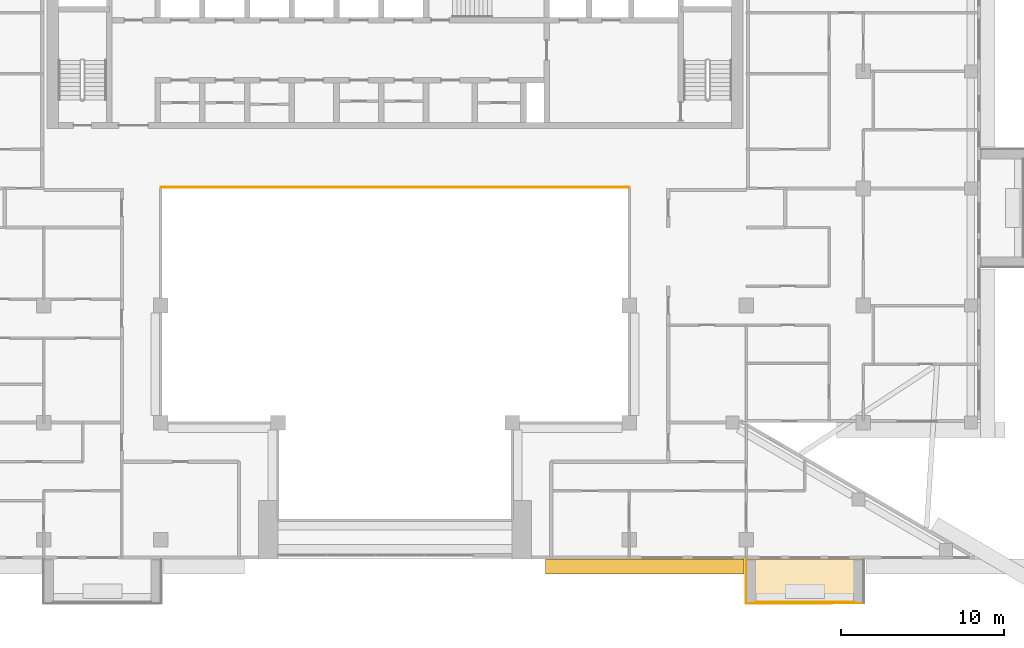
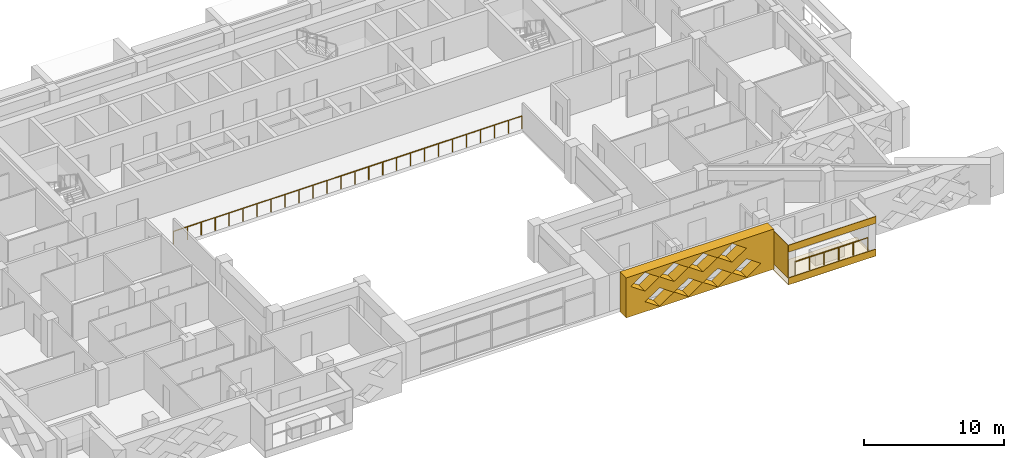
# One storey, part 16 of 20: 5 coverings, 2 railings.
"""IFC4 building model written with IfcOpenShell, lengths in metres."""

from ifc_helpers import new_model, si_unit, direction, frame, origin, origin_2d, place, context, subcontext, project, spatial, polyline, circle, outline, extrude, material, layer, layer_set, type_object, element, save


model = new_model("IFC4")

# Units and contexts
model_context = context("Model", 3, precision=1e-05, world=origin(), true_north=direction((0.0, 1.0)))
body_context = subcontext(model_context, "Body", "Model", "MODEL_VIEW")
ifc_project = project(units=[si_unit("LENGTHUNIT", "METRE"), si_unit("AREAUNIT", "SQUARE_METRE"), si_unit("VOLUMEUNIT", "CUBIC_METRE"), si_unit("PLANEANGLEUNIT", "RADIAN"), si_unit("MASSUNIT", "GRAM", prefix="KILO")], contexts=[model_context])

# Site, building, storey
site_placement = place(None, origin())
site = spatial("IfcSite", under=ifc_project, at=site_placement, CompositionType="ELEMENT")
building_placement = place(site_placement, origin())
building = spatial("IfcBuilding", under=site, at=building_placement, Name="Saffron Iwan Residences", CompositionType="ELEMENT")
storey_placement = place(building_placement, frame((0.0, 0.0, 199.0)))
storey = spatial("IfcBuildingStorey", under=building, at=storey_placement, Name="L53", CompositionType="ELEMENT", Elevation=199.0)

# Railings
ifc_material_1 = material(Name="Stainless steel 316", Category="steel")
railing_type_1 = type_object("IfcRailingType", Name="Atrium guard 1150", PredefinedType="GUARDRAIL", material=ifc_material_1)
railing_1_placement = place(storey_placement, frame((36.0, 62.47509765625, 0.0)))
element("IfcRailing", 1, at=railing_1_placement, inside=storey, type_object=railing_type_1, Name="Atrium guard L53", PredefinedType="GUARDRAIL", context=body_context, shape_type="SweptSolid", body=[
    extrude(circle(Radius=0.02392578125, at=origin_2d()), frame((0.0, 0.0, 1.1259765625), z_axis=(1.0, 0.0, 0.0), x_axis=(0.0, 1.0, 0.0)), (0.0, 0.0, 1.0), 28.800048828125),
    extrude(circle(Radius=0.02099609375, at=origin_2d()), origin(), (0.0, 0.0, 1.0), 1.101806640625),
    extrude(circle(Radius=0.02099609375, at=origin_2d()), frame((1.152099609375, 0.0, 0.0)), (0.0, 0.0, 1.0), 1.101806640625),
    extrude(circle(Radius=0.02099609375, at=origin_2d()), frame((2.303955078125, 0.0, 0.0)), (0.0, 0.0, 1.0), 1.101806640625),
    extrude(circle(Radius=0.02099609375, at=origin_2d()), frame((3.4560546875, 0.0, 0.0)), (0.0, 0.0, 1.0), 1.101806640625),
    extrude(circle(Radius=0.02099609375, at=origin_2d()), frame((4.60791015625, 0.0, 0.0)), (0.0, 0.0, 1.0), 1.101806640625),
    extrude(circle(Radius=0.02099609375, at=origin_2d()), frame((5.760009765625, 0.0, 0.0)), (0.0, 0.0, 1.0), 1.101806640625),
    extrude(circle(Radius=0.02099609375, at=origin_2d()), frame((6.912109375, 0.0, 0.0)), (0.0, 0.0, 1.0), 1.101806640625),
    extrude(circle(Radius=0.02099609375, at=origin_2d()), frame((8.06396484375, 0.0, 0.0)), (0.0, 0.0, 1.0), 1.101806640625),
    extrude(circle(Radius=0.02099609375, at=origin_2d()), frame((9.216064453125, 0.0, 0.0)), (0.0, 0.0, 1.0), 1.101806640625),
    extrude(circle(Radius=0.02099609375, at=origin_2d()), frame((10.367919921875, 0.0, 0.0)), (0.0, 0.0, 1.0), 1.101806640625),
    extrude(circle(Radius=0.02099609375, at=origin_2d()), frame((11.52001953125, 0.0, 0.0)), (0.0, 0.0, 1.0), 1.101806640625),
    extrude(circle(Radius=0.02099609375, at=origin_2d()), frame((12.672119140625, 0.0, 0.0)), (0.0, 0.0, 1.0), 1.101806640625),
    extrude(circle(Radius=0.02099609375, at=origin_2d()), frame((13.823974609375, 0.0, 0.0)), (0.0, 0.0, 1.0), 1.101806640625),
    extrude(circle(Radius=0.02099609375, at=origin_2d()), frame((14.97607421875, 0.0, 0.0)), (0.0, 0.0, 1.0), 1.101806640625),
    extrude(circle(Radius=0.02099609375, at=origin_2d()), frame((16.1279296875, 0.0, 0.0)), (0.0, 0.0, 1.0), 1.101806640625),
    extrude(circle(Radius=0.02099609375, at=origin_2d()), frame((17.280029296875, 0.0, 0.0)), (0.0, 0.0, 1.0), 1.101806640625),
    extrude(circle(Radius=0.02099609375, at=origin_2d()), frame((18.43212890625, 0.0, 0.0)), (0.0, 0.0, 1.0), 1.101806640625),
    extrude(circle(Radius=0.02099609375, at=origin_2d()), frame((19.583984375, 0.0, 0.0)), (0.0, 0.0, 1.0), 1.101806640625),
    extrude(circle(Radius=0.02099609375, at=origin_2d()), frame((20.736083984375, 0.0, 0.0)), (0.0, 0.0, 1.0), 1.101806640625),
    extrude(circle(Radius=0.02099609375, at=origin_2d()), frame((21.887939453125, 0.0, 0.0)), (0.0, 0.0, 1.0), 1.101806640625),
    extrude(circle(Radius=0.02099609375, at=origin_2d()), frame((23.0400390625, 0.0, 0.0)), (0.0, 0.0, 1.0), 1.101806640625),
    extrude(circle(Radius=0.02099609375, at=origin_2d()), frame((24.192138671875, 0.0, 0.0)), (0.0, 0.0, 1.0), 1.101806640625),
    extrude(circle(Radius=0.02099609375, at=origin_2d()), frame((25.343994140625, 0.0, 0.0)), (0.0, 0.0, 1.0), 1.101806640625),
    extrude(circle(Radius=0.02099609375, at=origin_2d()), frame((26.49609375, 0.0, 0.0)), (0.0, 0.0, 1.0), 1.101806640625),
    extrude(circle(Radius=0.02099609375, at=origin_2d()), frame((27.64794921875, 0.0, 0.0)), (0.0, 0.0, 1.0), 1.101806640625),
    extrude(circle(Radius=0.02099609375, at=origin_2d()), frame((28.800048828125, 0.0, 0.0)), (0.0, 0.0, 1.0), 1.101806640625),
])
railing_type_2 = type_object("IfcRailingType", Name="BALCONY GUARD 1150", PredefinedType="GUARDRAIL", material=ifc_material_1)
railing_2_placement = place(storey_placement, frame((72.60009765625, 36.97509765625, 0.0)))
element("IfcRailing", 2, at=railing_2_placement, inside=storey, type_object=railing_type_2, Name="Balcony guard L53 11-1", PredefinedType="GUARDRAIL", context=body_context, shape_type="SweptSolid", body=[
    extrude(circle(Radius=0.02392578125, at=origin_2d()), frame((0.0, 0.0, 1.1259765625), z_axis=(1.0, 0.0, 0.0), x_axis=(0.0, 1.0, 0.0)), (0.0, 0.0, 1.0), 6.0),
    extrude(circle(Radius=0.02099609375, at=origin_2d()), origin(), (0.0, 0.0, 1.0), 1.101806640625),
    extrude(circle(Radius=0.02099609375, at=origin_2d()), frame((1.199951171875, 0.0, 0.0)), (0.0, 0.0, 1.0), 1.101806640625),
    extrude(circle(Radius=0.02099609375, at=origin_2d()), frame((2.39990234375, 0.0, 0.0)), (0.0, 0.0, 1.0), 1.101806640625),
    extrude(circle(Radius=0.02099609375, at=origin_2d()), frame((3.60009765625, 0.0, 0.0)), (0.0, 0.0, 1.0), 1.101806640625),
    extrude(circle(Radius=0.02099609375, at=origin_2d()), frame((4.800048828125, 0.0, 0.0)), (0.0, 0.0, 1.0), 1.101806640625),
    extrude(circle(Radius=0.02099609375, at=origin_2d()), frame((6.0, 0.0, 0.0)), (0.0, 0.0, 1.0), 1.101806640625),
])

# Coverings
ifc_material_2 = material(Name="Precast concrete C40/50 white painted", Category="concrete")
ifc_layer = layer(ifc_material_2, 0.050048828125)
ifc_layer_set = layer_set([ifc_layer], Name="Precast concrete C40/50 white painted")
covering_type_1 = type_object("IfcCoveringType", Name="FRAME SKIN PRECAST WHITE 50", PredefinedType="CLADDING", material=ifc_layer_set)
for number, where, name in (
    (3, (0.0, 0.0, -0.60009765625), "Frame skin slab edge L53 11-1"),
    (4, (0.0, 0.0, 2.25), "Frame skin fascia L53 11-1"),
):
    element("IfcCovering", number, at=place(storey_placement, frame(where)), inside=storey, type_object=covering_type_1, Name=name, PredefinedType="CLADDING", context=body_context, shape_type="SweptSolid", body=[
        extrude(outline(polyline([(72.0, 36.85009765625), (79.199951171875, 36.85009765625), (79.199951171875, 36.89990234375), (72.0, 36.89990234375), (72.0, 36.85009765625)])), origin(), (0.0, 0.0, 1.0), 0.60009765625),
    ])
covering_1_placement = place(storey_placement, frame((0.0, 0.0, -0.64990234375)))
element("IfcCovering", 5, at=covering_1_placement, inside=storey, type_object=covering_type_1, Name="Frame skin soffit L53 11-1", PredefinedType="CLADDING", context=body_context, shape_type="SweptSolid", body=[
    extrude(outline(polyline([(72.0, 36.89990234375), (79.199951171875, 36.89990234375), (79.199951171875, 39.60009765625), (72.0, 39.60009765625), (72.0, 36.89990234375)])), origin(), (0.0, 0.0, 1.0), 0.0498046875),
])
covering_2_placement = place(storey_placement, origin())
element("IfcCovering", 6, at=covering_2_placement, inside=storey, type_object=covering_type_1, Name="Frame skin fin L53 11-1a", PredefinedType="CLADDING", context=body_context, shape_type="SweptSolid", body=[
    extrude(outline(polyline([(71.949951171875, 36.89990234375), (72.0, 36.89990234375), (72.0, 39.60009765625), (71.949951171875, 39.60009765625), (71.949951171875, 36.89990234375)])), origin(), (0.0, 0.0, 1.0), 2.85009765625),
])
ifc_material_3 = material(Name="Precast concrete C40/50", Category="concrete")
covering_type_2 = type_object("IfcCoveringType", Name="OUTER SKIN LATTICE SCREEN", PredefinedType="CLADDING", material=ifc_material_3)
covering_3_placement = place(storey_placement, frame((59.64990234375, 39.60009765625, -0.300048828125), z_axis=(0.0, -1.0, 0.0), x_axis=(1.0, 0.0, 0.0)))
element("IfcCovering", 7, at=covering_3_placement, inside=storey, type_object=covering_type_2, Name="OUTER SKIN lattice screen L53 F11.2", PredefinedType="CLADDING", context=body_context, shape_type="SweptSolid", body=[
    extrude(outline(polyline([(0.0, 0.0), (12.199951171875, 0.0), (12.199951171875, 3.5), (0.0, 3.5), (0.0, 0.0)]), holes=[polyline([(1.570068359375, 0.875), (2.75, 0.06005859375), (3.929931640625, 0.875), (2.75, 1.68994140625), (1.570068359375, 0.875)]), polyline([(3.969970703125, 0.875), (5.14990234375, 0.06005859375), (6.330078125, 0.875), (5.14990234375, 1.68994140625), (3.969970703125, 0.875)]), polyline([(6.3701171875, 0.875), (7.550048828125, 0.06005859375), (8.72998046875, 0.875), (7.550048828125, 1.68994140625), (6.3701171875, 0.875)]), polyline([(8.77001953125, 0.875), (9.949951171875, 0.06005859375), (11.1298828125, 0.875), (9.949951171875, 1.68994140625), (8.77001953125, 0.875)]), polyline([(0.3701171875, 2.625), (1.550048828125, 1.81005859375), (2.72998046875, 2.625), (1.550048828125, 3.43994140625), (0.3701171875, 2.625)]), polyline([(2.77001953125, 2.625), (3.949951171875, 1.81005859375), (5.1298828125, 2.625), (3.949951171875, 3.43994140625), (2.77001953125, 2.625)]), polyline([(5.169921875, 2.625), (6.35009765625, 1.81005859375), (7.530029296875, 2.625), (6.35009765625, 3.43994140625), (5.169921875, 2.625)]), polyline([(7.570068359375, 2.625), (8.75, 1.81005859375), (9.929931640625, 2.625), (8.75, 3.43994140625), (7.570068359375, 2.625)])]), origin(), (0.0, 0.0, 1.0), 0.900146484375),
])

save(model, "model.ifc")
